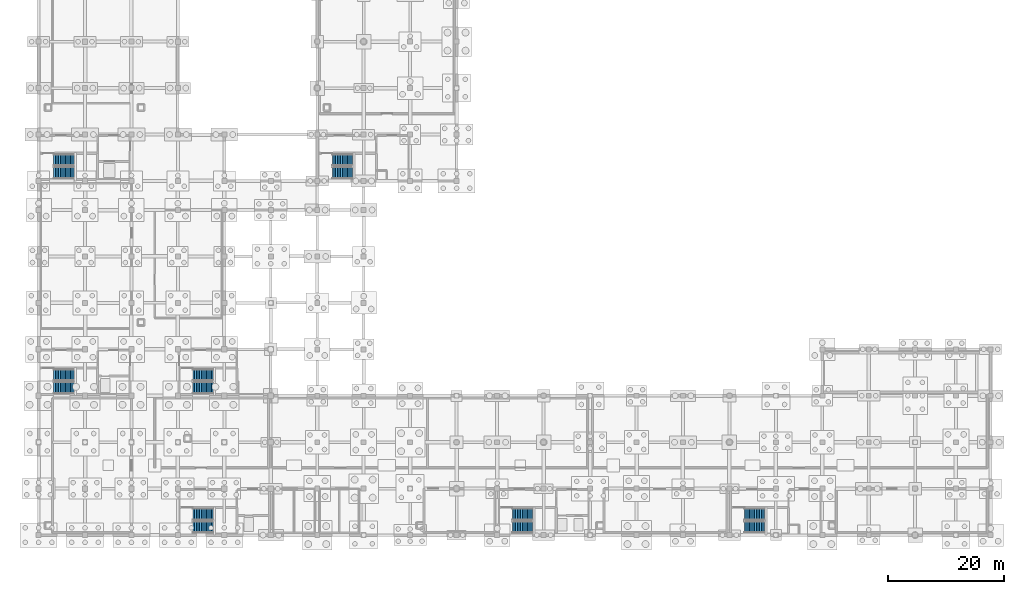
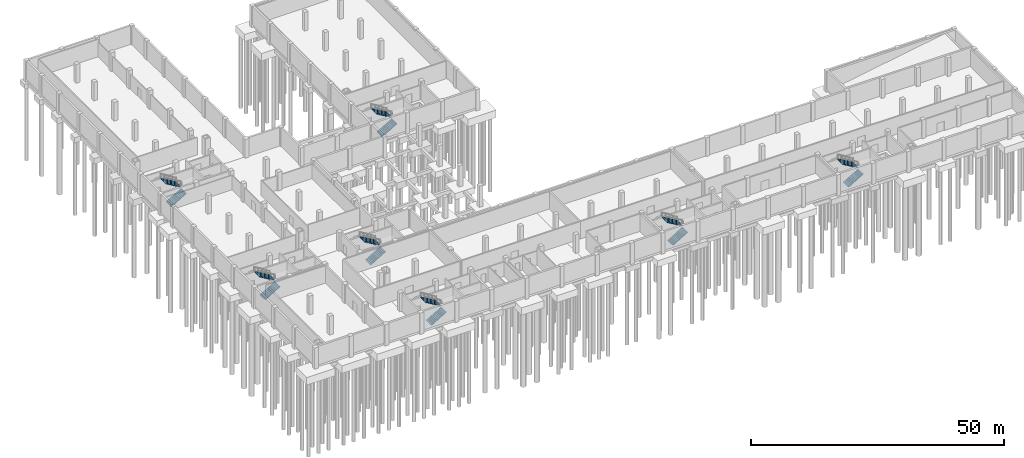
# One storey, part 19 of 26: 14 stair flights, 7 elements without a shape of their own.
"""IFC4 building model written with IfcOpenShell, lengths in metres."""

from ifc_helpers import new_model, si_unit, direction, frame, origin, place, context, subcontext, project, spatial, polyline, outline, extrude, material, type_object, element, aggregate, save


model = new_model("IFC4")

# Units and contexts
model_context = context("Model", 3, precision=1e-05, world=origin(), true_north=direction((0.0, 1.0)))
body_context = subcontext(model_context, "Body", "Model", "MODEL_VIEW")
ifc_project = project(units=[si_unit("LENGTHUNIT", "METRE"), si_unit("AREAUNIT", "SQUARE_METRE"), si_unit("VOLUMEUNIT", "CUBIC_METRE"), si_unit("PLANEANGLEUNIT", "RADIAN"), si_unit("MASSUNIT", "GRAM", prefix="KILO")], contexts=[model_context])

# Site, building, storey
site_placement = place(None, origin())
site = spatial("IfcSite", under=ifc_project, at=site_placement, CompositionType="ELEMENT")
building_placement = place(site_placement, origin())
building = spatial("IfcBuilding", under=site, at=building_placement, Name="Qorikala Patio Media Centre", CompositionType="ELEMENT")
storey_placement = place(building_placement, frame((0.0, 0.0, -4.5)))
storey = spatial("IfcBuildingStorey", under=building, at=storey_placement, Name="B1", CompositionType="ELEMENT", Elevation=-4.5)

# Stair, stair flights
ifc_material = material(Name="Precast concrete C40/50", Category="concrete")
stair_type = type_object("IfcStairType", Name="ST-DL-26R173W200", PredefinedType="HALF_TURN_STAIR", material=ifc_material)
stair_1_placement = place(storey_placement, origin())
stair_1 = element("IfcStair", 1, at=stair_1_placement, inside=storey, type_object=stair_type, Name="B1 Core C1 Exit Stair ST-1", PredefinedType="HALF_TURN_STAIR")
stair_flight_type = type_object("IfcStairFlightType", Name="FL-DL-13R173W200", PredefinedType="STRAIGHT", material=ifc_material)
stair_flight_1_placement = place(storey_placement, frame((29.60009765625, 4.39990234375, 0.0), z_axis=(0.0, 0.0, 1.0), x_axis=(1.0, 0.0, 0.0)))
stair_flight_1 = element("IfcStairFlight", 2, at=stair_flight_1_placement, type_object=stair_flight_type, Name="ST-1 flight 1", NumberOfRisers=13, NumberOfTreads=12, PredefinedType="STRAIGHT", RiserHeight=0.173076923, TreadLength=0.29, context=body_context, shape_type="SweptSolid", body=[
    extrude(outline(polyline([(0.0, 0.0), (0.0, 0.173095703125), (0.2900390625, 0.173095703125), (0.2900390625, 0.34619140625), (0.580078125, 0.34619140625), (0.580078125, 0.519287109375), (0.8701171875, 0.519287109375), (0.8701171875, 0.6923828125), (1.159912109375, 0.6923828125), (1.159912109375, 0.865478515625), (1.449951171875, 0.865478515625), (1.449951171875, 1.03857421875), (1.739990234375, 1.03857421875), (1.739990234375, 1.21142578125), (2.030029296875, 1.21142578125), (2.030029296875, 1.384521484375), (2.320068359375, 1.384521484375), (2.320068359375, 1.5576171875), (2.610107421875, 1.5576171875), (2.610107421875, 1.730712890625), (2.89990234375, 1.730712890625), (2.89990234375, 1.90380859375), (3.18994140625, 1.90380859375), (3.18994140625, 2.076904296875), (3.47998046875, 2.076904296875), (3.47998046875, 2.25), (3.47998046875, 1.90234375), (0.29248046875, 0.0), (0.0, 0.0)])), frame((0.0, 1.0, 0.0), z_axis=(0.0, -1.0, 0.0), x_axis=(1.0, 0.0, 0.0)), (0.0, 0.0, 1.0), 2.0),
])
stair_flight_2_placement = place(storey_placement, frame((33.080078125, 6.60009765625, 2.25), z_axis=(0.0, 0.0, 1.0), x_axis=(-1.0, 0.0, 0.0)))
stair_flight_2 = element("IfcStairFlight", 3, at=stair_flight_2_placement, type_object=stair_flight_type, Name="ST-1 flight 2", NumberOfRisers=13, NumberOfTreads=12, PredefinedType="STRAIGHT", RiserHeight=0.173076923, TreadLength=0.29, context=body_context, shape_type="SweptSolid", body=[
    extrude(outline(polyline([(0.0, 0.0), (0.0, 0.173095703125), (0.2900390625, 0.173095703125), (0.2900390625, 0.34619140625), (0.580078125, 0.34619140625), (0.580078125, 0.519287109375), (0.8701171875, 0.519287109375), (0.8701171875, 0.6923828125), (1.159912109375, 0.6923828125), (1.159912109375, 0.865478515625), (1.449951171875, 0.865478515625), (1.449951171875, 1.03857421875), (1.739990234375, 1.03857421875), (1.739990234375, 1.21142578125), (2.030029296875, 1.21142578125), (2.030029296875, 1.384521484375), (2.320068359375, 1.384521484375), (2.320068359375, 1.5576171875), (2.610107421875, 1.5576171875), (2.610107421875, 1.730712890625), (2.89990234375, 1.730712890625), (2.89990234375, 1.90380859375), (3.18994140625, 1.90380859375), (3.18994140625, 2.076904296875), (3.47998046875, 2.076904296875), (3.47998046875, 2.25), (3.47998046875, 1.90234375), (0.29248046875, 0.0), (0.0, 0.0)])), frame((0.0, 1.0, 0.0), z_axis=(0.0, -1.0, 0.0), x_axis=(1.0, 0.0, 0.0)), (0.0, 0.0, 1.0), 2.0),
])
aggregate(stair_1, [stair_flight_1, stair_flight_2])

stair_2_placement = place(storey_placement, origin())
stair_2 = element("IfcStair", 4, at=stair_2_placement, inside=storey, type_object=stair_type, Name="B1 Core C2 Exit Stair ST-2", PredefinedType="HALF_TURN_STAIR")
stair_flight_3_placement = place(storey_placement, frame((5.60009765625, 28.39990234375, 0.0), z_axis=(0.0, 0.0, 1.0), x_axis=(1.0, 0.0, 0.0)))
stair_flight_3 = element("IfcStairFlight", 5, at=stair_flight_3_placement, type_object=stair_flight_type, Name="ST-2 flight 1", NumberOfRisers=13, NumberOfTreads=12, PredefinedType="STRAIGHT", RiserHeight=0.173076923, TreadLength=0.29, context=body_context, shape_type="SweptSolid", body=[
    extrude(outline(polyline([(0.0, 0.0), (0.0, 0.173095703125), (0.2900390625, 0.173095703125), (0.2900390625, 0.34619140625), (0.580078125, 0.34619140625), (0.580078125, 0.519287109375), (0.8701171875, 0.519287109375), (0.8701171875, 0.6923828125), (1.159912109375, 0.6923828125), (1.159912109375, 0.865478515625), (1.449951171875, 0.865478515625), (1.449951171875, 1.03857421875), (1.739990234375, 1.03857421875), (1.739990234375, 1.21142578125), (2.030029296875, 1.21142578125), (2.030029296875, 1.384521484375), (2.320068359375, 1.384521484375), (2.320068359375, 1.5576171875), (2.610107421875, 1.5576171875), (2.610107421875, 1.730712890625), (2.89990234375, 1.730712890625), (2.89990234375, 1.90380859375), (3.18994140625, 1.90380859375), (3.18994140625, 2.076904296875), (3.47998046875, 2.076904296875), (3.47998046875, 2.25), (3.47998046875, 1.90234375), (0.29248046875, 0.0), (0.0, 0.0)])), frame((0.0, 1.0, 0.0), z_axis=(0.0, -1.0, 0.0), x_axis=(1.0, 0.0, 0.0)), (0.0, 0.0, 1.0), 2.0),
])
stair_flight_4_placement = place(storey_placement, frame((9.080078125, 30.60009765625, 2.25), z_axis=(0.0, 0.0, 1.0), x_axis=(-1.0, 0.0, 0.0)))
stair_flight_4 = element("IfcStairFlight", 6, at=stair_flight_4_placement, type_object=stair_flight_type, Name="ST-2 flight 2", NumberOfRisers=13, NumberOfTreads=12, PredefinedType="STRAIGHT", RiserHeight=0.173076923, TreadLength=0.29, context=body_context, shape_type="SweptSolid", body=[
    extrude(outline(polyline([(0.0, 0.0), (0.0, 0.173095703125), (0.2900390625, 0.173095703125), (0.2900390625, 0.34619140625), (0.580078125, 0.34619140625), (0.580078125, 0.519287109375), (0.8701171875, 0.519287109375), (0.8701171875, 0.6923828125), (1.159912109375, 0.6923828125), (1.159912109375, 0.865478515625), (1.449951171875, 0.865478515625), (1.449951171875, 1.03857421875), (1.739990234375, 1.03857421875), (1.739990234375, 1.21142578125), (2.030029296875, 1.21142578125), (2.030029296875, 1.384521484375), (2.320068359375, 1.384521484375), (2.320068359375, 1.5576171875), (2.610107421875, 1.5576171875), (2.610107421875, 1.730712890625), (2.89990234375, 1.730712890625), (2.89990234375, 1.90380859375), (3.18994140625, 1.90380859375), (3.18994140625, 2.076904296875), (3.47998046875, 2.076904296875), (3.47998046875, 2.25), (3.47998046875, 1.90234375), (0.29248046875, 0.0), (0.0, 0.0)])), frame((0.0, 1.0, 0.0), z_axis=(0.0, -1.0, 0.0), x_axis=(1.0, 0.0, 0.0)), (0.0, 0.0, 1.0), 2.0),
])
aggregate(stair_2, [stair_flight_3, stair_flight_4])

stair_3_placement = place(storey_placement, origin())
stair_3 = element("IfcStair", 7, at=stair_3_placement, inside=storey, type_object=stair_type, Name="B1 Core C3 Exit Stair ST-3", PredefinedType="HALF_TURN_STAIR")
stair_flight_5_placement = place(storey_placement, frame((5.60009765625, 65.39990234375, 0.0), z_axis=(0.0, 0.0, 1.0), x_axis=(1.0, 0.0, 0.0)))
stair_flight_5 = element("IfcStairFlight", 8, at=stair_flight_5_placement, type_object=stair_flight_type, Name="ST-3 flight 1", NumberOfRisers=13, NumberOfTreads=12, PredefinedType="STRAIGHT", RiserHeight=0.173076923, TreadLength=0.29, context=body_context, shape_type="SweptSolid", body=[
    extrude(outline(polyline([(0.0, 0.0), (0.0, 0.173095703125), (0.2900390625, 0.173095703125), (0.2900390625, 0.34619140625), (0.580078125, 0.34619140625), (0.580078125, 0.519287109375), (0.8701171875, 0.519287109375), (0.8701171875, 0.6923828125), (1.159912109375, 0.6923828125), (1.159912109375, 0.865478515625), (1.449951171875, 0.865478515625), (1.449951171875, 1.03857421875), (1.739990234375, 1.03857421875), (1.739990234375, 1.21142578125), (2.030029296875, 1.21142578125), (2.030029296875, 1.384521484375), (2.320068359375, 1.384521484375), (2.320068359375, 1.5576171875), (2.610107421875, 1.5576171875), (2.610107421875, 1.730712890625), (2.89990234375, 1.730712890625), (2.89990234375, 1.90380859375), (3.18994140625, 1.90380859375), (3.18994140625, 2.076904296875), (3.47998046875, 2.076904296875), (3.47998046875, 2.25), (3.47998046875, 1.90234375), (0.29248046875, 0.0), (0.0, 0.0)])), frame((0.0, 1.0, 0.0), z_axis=(0.0, -1.0, 0.0), x_axis=(1.0, 0.0, 0.0)), (0.0, 0.0, 1.0), 2.0),
])
stair_flight_6_placement = place(storey_placement, frame((9.080078125, 67.60009765625, 2.25), z_axis=(0.0, 0.0, 1.0), x_axis=(-1.0, 0.0, 0.0)))
stair_flight_6 = element("IfcStairFlight", 9, at=stair_flight_6_placement, type_object=stair_flight_type, Name="ST-3 flight 2", NumberOfRisers=13, NumberOfTreads=12, PredefinedType="STRAIGHT", RiserHeight=0.173076923, TreadLength=0.29, context=body_context, shape_type="SweptSolid", body=[
    extrude(outline(polyline([(0.0, 0.0), (0.0, 0.173095703125), (0.2900390625, 0.173095703125), (0.2900390625, 0.34619140625), (0.580078125, 0.34619140625), (0.580078125, 0.519287109375), (0.8701171875, 0.519287109375), (0.8701171875, 0.6923828125), (1.159912109375, 0.6923828125), (1.159912109375, 0.865478515625), (1.449951171875, 0.865478515625), (1.449951171875, 1.03857421875), (1.739990234375, 1.03857421875), (1.739990234375, 1.21142578125), (2.030029296875, 1.21142578125), (2.030029296875, 1.384521484375), (2.320068359375, 1.384521484375), (2.320068359375, 1.5576171875), (2.610107421875, 1.5576171875), (2.610107421875, 1.730712890625), (2.89990234375, 1.730712890625), (2.89990234375, 1.90380859375), (3.18994140625, 1.90380859375), (3.18994140625, 2.076904296875), (3.47998046875, 2.076904296875), (3.47998046875, 2.25), (3.47998046875, 1.90234375), (0.29248046875, 0.0), (0.0, 0.0)])), frame((0.0, 1.0, 0.0), z_axis=(0.0, -1.0, 0.0), x_axis=(1.0, 0.0, 0.0)), (0.0, 0.0, 1.0), 2.0),
])
aggregate(stair_3, [stair_flight_5, stair_flight_6])

stair_4_placement = place(storey_placement, origin())
stair_4 = element("IfcStair", 10, at=stair_4_placement, inside=storey, type_object=stair_type, Name="B1 Core C4 Exit Stair ST-4", PredefinedType="HALF_TURN_STAIR")
stair_flight_7_placement = place(storey_placement, frame((84.60009765625, 4.39990234375, 0.0), z_axis=(0.0, 0.0, 1.0), x_axis=(1.0, 0.0, 0.0)))
stair_flight_7 = element("IfcStairFlight", 11, at=stair_flight_7_placement, type_object=stair_flight_type, Name="ST-4 flight 1", NumberOfRisers=13, NumberOfTreads=12, PredefinedType="STRAIGHT", RiserHeight=0.173076923, TreadLength=0.29, context=body_context, shape_type="SweptSolid", body=[
    extrude(outline(polyline([(0.0, 0.0), (0.0, 0.173095703125), (0.2900390625, 0.173095703125), (0.2900390625, 0.34619140625), (0.580078125, 0.34619140625), (0.580078125, 0.519287109375), (0.8701171875, 0.519287109375), (0.8701171875, 0.6923828125), (1.159912109375, 0.6923828125), (1.159912109375, 0.865478515625), (1.449951171875, 0.865478515625), (1.449951171875, 1.03857421875), (1.739990234375, 1.03857421875), (1.739990234375, 1.21142578125), (2.030029296875, 1.21142578125), (2.030029296875, 1.384521484375), (2.320068359375, 1.384521484375), (2.320068359375, 1.5576171875), (2.610107421875, 1.5576171875), (2.610107421875, 1.730712890625), (2.89990234375, 1.730712890625), (2.89990234375, 1.90380859375), (3.18994140625, 1.90380859375), (3.18994140625, 2.076904296875), (3.47998046875, 2.076904296875), (3.47998046875, 2.25), (3.47998046875, 1.90234375), (0.29248046875, 0.0), (0.0, 0.0)])), frame((0.0, 1.0, 0.0), z_axis=(0.0, -1.0, 0.0), x_axis=(1.0, 0.0, 0.0)), (0.0, 0.0, 1.0), 2.0),
])
stair_flight_8_placement = place(storey_placement, frame((88.080078125, 6.60009765625, 2.25), z_axis=(0.0, 0.0, 1.0), x_axis=(-1.0, 0.0, 0.0)))
stair_flight_8 = element("IfcStairFlight", 12, at=stair_flight_8_placement, type_object=stair_flight_type, Name="ST-4 flight 2", NumberOfRisers=13, NumberOfTreads=12, PredefinedType="STRAIGHT", RiserHeight=0.173076923, TreadLength=0.29, context=body_context, shape_type="SweptSolid", body=[
    extrude(outline(polyline([(0.0, 0.0), (0.0, 0.173095703125), (0.2900390625, 0.173095703125), (0.2900390625, 0.34619140625), (0.580078125, 0.34619140625), (0.580078125, 0.519287109375), (0.8701171875, 0.519287109375), (0.8701171875, 0.6923828125), (1.159912109375, 0.6923828125), (1.159912109375, 0.865478515625), (1.449951171875, 0.865478515625), (1.449951171875, 1.03857421875), (1.739990234375, 1.03857421875), (1.739990234375, 1.21142578125), (2.030029296875, 1.21142578125), (2.030029296875, 1.384521484375), (2.320068359375, 1.384521484375), (2.320068359375, 1.5576171875), (2.610107421875, 1.5576171875), (2.610107421875, 1.730712890625), (2.89990234375, 1.730712890625), (2.89990234375, 1.90380859375), (3.18994140625, 1.90380859375), (3.18994140625, 2.076904296875), (3.47998046875, 2.076904296875), (3.47998046875, 2.25), (3.47998046875, 1.90234375), (0.29248046875, 0.0), (0.0, 0.0)])), frame((0.0, 1.0, 0.0), z_axis=(0.0, -1.0, 0.0), x_axis=(1.0, 0.0, 0.0)), (0.0, 0.0, 1.0), 2.0),
])
aggregate(stair_4, [stair_flight_7, stair_flight_8])

stair_5_placement = place(storey_placement, origin())
stair_5 = element("IfcStair", 13, at=stair_5_placement, inside=storey, type_object=stair_type, Name="B1 Core C5 Exit Stair ST-5", PredefinedType="HALF_TURN_STAIR")
stair_flight_9_placement = place(storey_placement, frame((29.60009765625, 28.39990234375, 0.0), z_axis=(0.0, 0.0, 1.0), x_axis=(1.0, 0.0, 0.0)))
stair_flight_9 = element("IfcStairFlight", 14, at=stair_flight_9_placement, type_object=stair_flight_type, Name="ST-5 flight 1", NumberOfRisers=13, NumberOfTreads=12, PredefinedType="STRAIGHT", RiserHeight=0.173076923, TreadLength=0.29, context=body_context, shape_type="SweptSolid", body=[
    extrude(outline(polyline([(0.0, 0.0), (0.0, 0.173095703125), (0.2900390625, 0.173095703125), (0.2900390625, 0.34619140625), (0.580078125, 0.34619140625), (0.580078125, 0.519287109375), (0.8701171875, 0.519287109375), (0.8701171875, 0.6923828125), (1.159912109375, 0.6923828125), (1.159912109375, 0.865478515625), (1.449951171875, 0.865478515625), (1.449951171875, 1.03857421875), (1.739990234375, 1.03857421875), (1.739990234375, 1.21142578125), (2.030029296875, 1.21142578125), (2.030029296875, 1.384521484375), (2.320068359375, 1.384521484375), (2.320068359375, 1.5576171875), (2.610107421875, 1.5576171875), (2.610107421875, 1.730712890625), (2.89990234375, 1.730712890625), (2.89990234375, 1.90380859375), (3.18994140625, 1.90380859375), (3.18994140625, 2.076904296875), (3.47998046875, 2.076904296875), (3.47998046875, 2.25), (3.47998046875, 1.90234375), (0.29248046875, 0.0), (0.0, 0.0)])), frame((0.0, 1.0, 0.0), z_axis=(0.0, -1.0, 0.0), x_axis=(1.0, 0.0, 0.0)), (0.0, 0.0, 1.0), 2.0),
])
stair_flight_10_placement = place(storey_placement, frame((33.080078125, 30.60009765625, 2.25), z_axis=(0.0, 0.0, 1.0), x_axis=(-1.0, 0.0, 0.0)))
stair_flight_10 = element("IfcStairFlight", 15, at=stair_flight_10_placement, type_object=stair_flight_type, Name="ST-5 flight 2", NumberOfRisers=13, NumberOfTreads=12, PredefinedType="STRAIGHT", RiserHeight=0.173076923, TreadLength=0.29, context=body_context, shape_type="SweptSolid", body=[
    extrude(outline(polyline([(0.0, 0.0), (0.0, 0.173095703125), (0.2900390625, 0.173095703125), (0.2900390625, 0.34619140625), (0.580078125, 0.34619140625), (0.580078125, 0.519287109375), (0.8701171875, 0.519287109375), (0.8701171875, 0.6923828125), (1.159912109375, 0.6923828125), (1.159912109375, 0.865478515625), (1.449951171875, 0.865478515625), (1.449951171875, 1.03857421875), (1.739990234375, 1.03857421875), (1.739990234375, 1.21142578125), (2.030029296875, 1.21142578125), (2.030029296875, 1.384521484375), (2.320068359375, 1.384521484375), (2.320068359375, 1.5576171875), (2.610107421875, 1.5576171875), (2.610107421875, 1.730712890625), (2.89990234375, 1.730712890625), (2.89990234375, 1.90380859375), (3.18994140625, 1.90380859375), (3.18994140625, 2.076904296875), (3.47998046875, 2.076904296875), (3.47998046875, 2.25), (3.47998046875, 1.90234375), (0.29248046875, 0.0), (0.0, 0.0)])), frame((0.0, 1.0, 0.0), z_axis=(0.0, -1.0, 0.0), x_axis=(1.0, 0.0, 0.0)), (0.0, 0.0, 1.0), 2.0),
])
aggregate(stair_5, [stair_flight_9, stair_flight_10])

stair_6_placement = place(storey_placement, origin())
stair_6 = element("IfcStair", 16, at=stair_6_placement, inside=storey, type_object=stair_type, Name="B1 Core C6 Exit Stair ST-6", PredefinedType="HALF_TURN_STAIR")
stair_flight_11_placement = place(storey_placement, frame((53.60009765625, 65.39990234375, 0.0), z_axis=(0.0, 0.0, 1.0), x_axis=(1.0, 0.0, 0.0)))
stair_flight_11 = element("IfcStairFlight", 17, at=stair_flight_11_placement, type_object=stair_flight_type, Name="ST-6 flight 1", NumberOfRisers=13, NumberOfTreads=12, PredefinedType="STRAIGHT", RiserHeight=0.173076923, TreadLength=0.29, context=body_context, shape_type="SweptSolid", body=[
    extrude(outline(polyline([(0.0, 0.0), (0.0, 0.173095703125), (0.2900390625, 0.173095703125), (0.2900390625, 0.34619140625), (0.580078125, 0.34619140625), (0.580078125, 0.519287109375), (0.8701171875, 0.519287109375), (0.8701171875, 0.6923828125), (1.159912109375, 0.6923828125), (1.159912109375, 0.865478515625), (1.449951171875, 0.865478515625), (1.449951171875, 1.03857421875), (1.739990234375, 1.03857421875), (1.739990234375, 1.21142578125), (2.030029296875, 1.21142578125), (2.030029296875, 1.384521484375), (2.320068359375, 1.384521484375), (2.320068359375, 1.5576171875), (2.610107421875, 1.5576171875), (2.610107421875, 1.730712890625), (2.89990234375, 1.730712890625), (2.89990234375, 1.90380859375), (3.18994140625, 1.90380859375), (3.18994140625, 2.076904296875), (3.47998046875, 2.076904296875), (3.47998046875, 2.25), (3.47998046875, 1.90234375), (0.29248046875, 0.0), (0.0, 0.0)])), frame((0.0, 1.0, 0.0), z_axis=(0.0, -1.0, 0.0), x_axis=(1.0, 0.0, 0.0)), (0.0, 0.0, 1.0), 2.0),
])
stair_flight_12_placement = place(storey_placement, frame((57.080078125, 67.60009765625, 2.25), z_axis=(0.0, 0.0, 1.0), x_axis=(-1.0, 0.0, 0.0)))
stair_flight_12 = element("IfcStairFlight", 18, at=stair_flight_12_placement, type_object=stair_flight_type, Name="ST-6 flight 2", NumberOfRisers=13, NumberOfTreads=12, PredefinedType="STRAIGHT", RiserHeight=0.173076923, TreadLength=0.29, context=body_context, shape_type="SweptSolid", body=[
    extrude(outline(polyline([(0.0, 0.0), (0.0, 0.173095703125), (0.2900390625, 0.173095703125), (0.2900390625, 0.34619140625), (0.580078125, 0.34619140625), (0.580078125, 0.519287109375), (0.8701171875, 0.519287109375), (0.8701171875, 0.6923828125), (1.159912109375, 0.6923828125), (1.159912109375, 0.865478515625), (1.449951171875, 0.865478515625), (1.449951171875, 1.03857421875), (1.739990234375, 1.03857421875), (1.739990234375, 1.21142578125), (2.030029296875, 1.21142578125), (2.030029296875, 1.384521484375), (2.320068359375, 1.384521484375), (2.320068359375, 1.5576171875), (2.610107421875, 1.5576171875), (2.610107421875, 1.730712890625), (2.89990234375, 1.730712890625), (2.89990234375, 1.90380859375), (3.18994140625, 1.90380859375), (3.18994140625, 2.076904296875), (3.47998046875, 2.076904296875), (3.47998046875, 2.25), (3.47998046875, 1.90234375), (0.29248046875, 0.0), (0.0, 0.0)])), frame((0.0, 1.0, 0.0), z_axis=(0.0, -1.0, 0.0), x_axis=(1.0, 0.0, 0.0)), (0.0, 0.0, 1.0), 2.0),
])
aggregate(stair_6, [stair_flight_11, stair_flight_12])

stair_7_placement = place(storey_placement, origin())
stair_7 = element("IfcStair", 19, at=stair_7_placement, inside=storey, type_object=stair_type, Name="B1 Core C7 Exit Stair ST-7", PredefinedType="HALF_TURN_STAIR")
stair_flight_13_placement = place(storey_placement, frame((124.60009765625, 4.39990234375, 0.0), z_axis=(0.0, 0.0, 1.0), x_axis=(1.0, 0.0, 0.0)))
stair_flight_13 = element("IfcStairFlight", 20, at=stair_flight_13_placement, type_object=stair_flight_type, Name="ST-7 flight 1", NumberOfRisers=13, NumberOfTreads=12, PredefinedType="STRAIGHT", RiserHeight=0.173076923, TreadLength=0.29, context=body_context, shape_type="SweptSolid", body=[
    extrude(outline(polyline([(0.0, 0.0), (0.0, 0.173095703125), (0.2900390625, 0.173095703125), (0.2900390625, 0.34619140625), (0.580078125, 0.34619140625), (0.580078125, 0.519287109375), (0.8701171875, 0.519287109375), (0.8701171875, 0.6923828125), (1.159912109375, 0.6923828125), (1.159912109375, 0.865478515625), (1.449951171875, 0.865478515625), (1.449951171875, 1.03857421875), (1.739990234375, 1.03857421875), (1.739990234375, 1.21142578125), (2.030029296875, 1.21142578125), (2.030029296875, 1.384521484375), (2.320068359375, 1.384521484375), (2.320068359375, 1.5576171875), (2.610107421875, 1.5576171875), (2.610107421875, 1.730712890625), (2.89990234375, 1.730712890625), (2.89990234375, 1.90380859375), (3.18994140625, 1.90380859375), (3.18994140625, 2.076904296875), (3.47998046875, 2.076904296875), (3.47998046875, 2.25), (3.47998046875, 1.90234375), (0.29248046875, 0.0), (0.0, 0.0)])), frame((0.0, 1.0, 0.0), z_axis=(0.0, -1.0, 0.0), x_axis=(1.0, 0.0, 0.0)), (0.0, 0.0, 1.0), 2.0),
])
stair_flight_14_placement = place(storey_placement, frame((128.080078125, 6.60009765625, 2.25), z_axis=(0.0, 0.0, 1.0), x_axis=(-1.0, 0.0, 0.0)))
stair_flight_14 = element("IfcStairFlight", 21, at=stair_flight_14_placement, type_object=stair_flight_type, Name="ST-7 flight 2", NumberOfRisers=13, NumberOfTreads=12, PredefinedType="STRAIGHT", RiserHeight=0.173076923, TreadLength=0.29, context=body_context, shape_type="SweptSolid", body=[
    extrude(outline(polyline([(0.0, 0.0), (0.0, 0.173095703125), (0.2900390625, 0.173095703125), (0.2900390625, 0.34619140625), (0.580078125, 0.34619140625), (0.580078125, 0.519287109375), (0.8701171875, 0.519287109375), (0.8701171875, 0.6923828125), (1.159912109375, 0.6923828125), (1.159912109375, 0.865478515625), (1.449951171875, 0.865478515625), (1.449951171875, 1.03857421875), (1.739990234375, 1.03857421875), (1.739990234375, 1.21142578125), (2.030029296875, 1.21142578125), (2.030029296875, 1.384521484375), (2.320068359375, 1.384521484375), (2.320068359375, 1.5576171875), (2.610107421875, 1.5576171875), (2.610107421875, 1.730712890625), (2.89990234375, 1.730712890625), (2.89990234375, 1.90380859375), (3.18994140625, 1.90380859375), (3.18994140625, 2.076904296875), (3.47998046875, 2.076904296875), (3.47998046875, 2.25), (3.47998046875, 1.90234375), (0.29248046875, 0.0), (0.0, 0.0)])), frame((0.0, 1.0, 0.0), z_axis=(0.0, -1.0, 0.0), x_axis=(1.0, 0.0, 0.0)), (0.0, 0.0, 1.0), 2.0),
])
aggregate(stair_7, [stair_flight_13, stair_flight_14])

save(model, "model.ifc")
